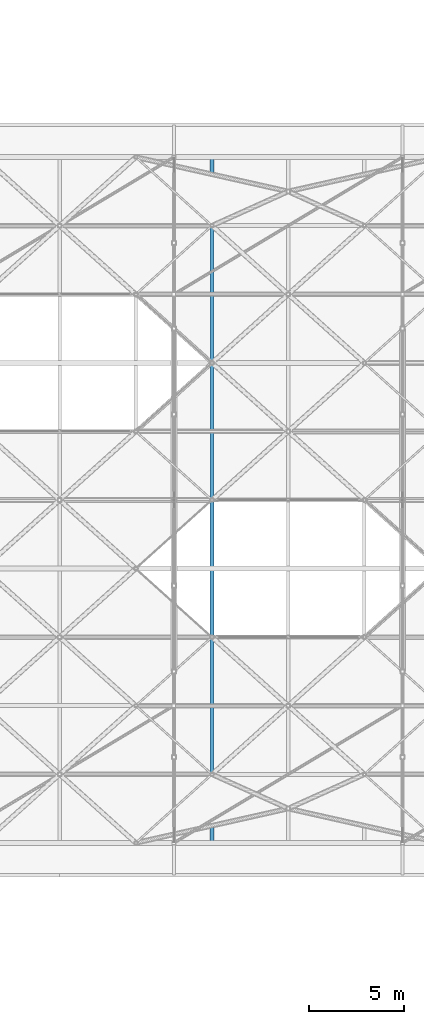
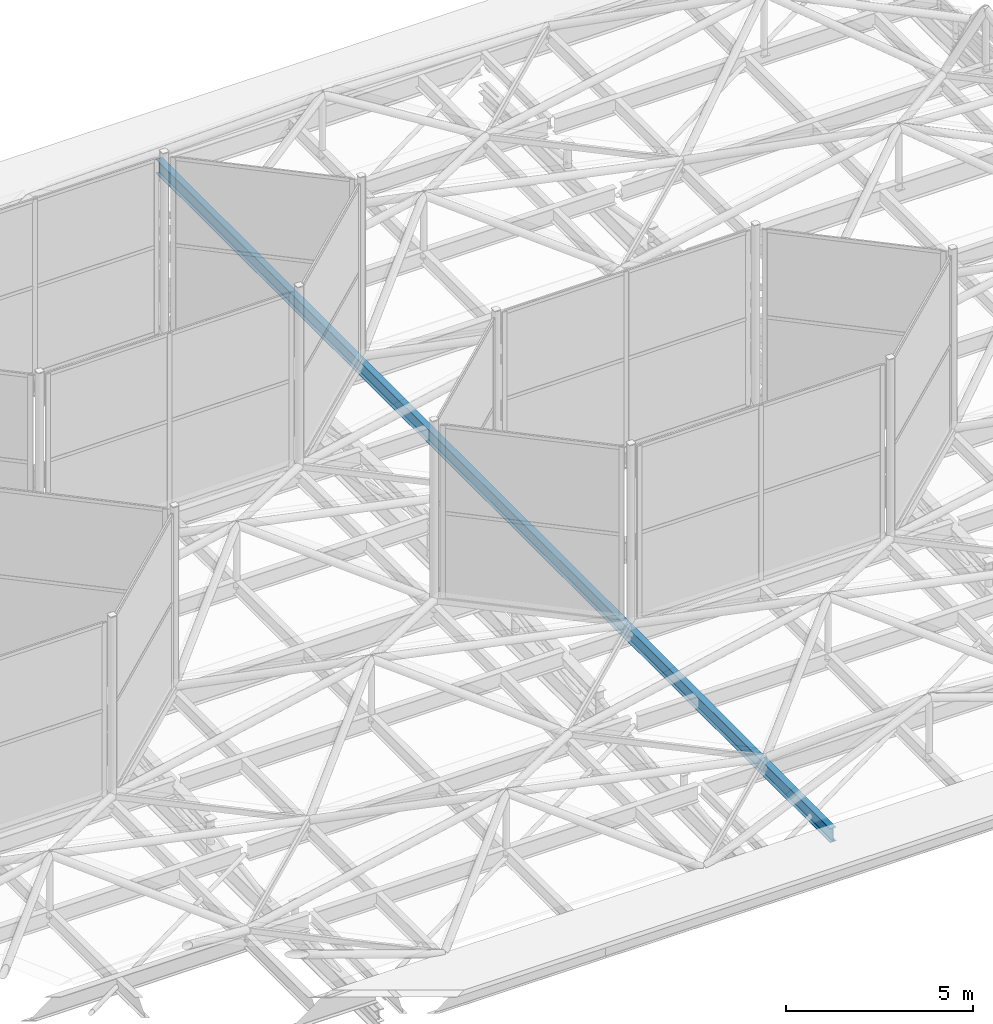
# One storey, part 119 of 239: 1 beam.
"""IFC4 building model written with IfcOpenShell, lengths in metres."""

from ifc_helpers import new_model, si_unit, direction, frame, origin, origin_2d, place, context, subcontext, project, spatial, i_section, extrude, material, material_profile, profile_set, type_object, element, save


model = new_model("IFC4")

# Units and contexts
model_context = context("Model", 3, precision=1e-05, world=origin(), true_north=direction((0.0, 1.0)))
body_context = subcontext(model_context, "Body", "Model", "MODEL_VIEW")
ifc_project = project(units=[si_unit("LENGTHUNIT", "METRE"), si_unit("AREAUNIT", "SQUARE_METRE"), si_unit("VOLUMEUNIT", "CUBIC_METRE"), si_unit("PLANEANGLEUNIT", "RADIAN"), si_unit("MASSUNIT", "GRAM", prefix="KILO")], contexts=[model_context])

# Site, building, storey
site_placement = place(None, origin())
site = spatial("IfcSite", under=ifc_project, at=site_placement, CompositionType="ELEMENT")
building_placement = place(site_placement, origin())
building = spatial("IfcBuilding", under=site, at=building_placement, Name="Dunvalen Ferry Terminal", CompositionType="ELEMENT")
storey_placement = place(building_placement, frame((0.0, 0.0, 9.840087890625)))
storey = spatial("IfcBuildingStorey", under=building, at=storey_placement, Name="L02", CompositionType="ELEMENT", Elevation=9.840087890625)

# Beam
ifc_material = material(Name="Steel S355", Category="steel")
ifc_material_profile = material_profile(ifc_material, i_section(OverallWidth=0.1904296875, OverallDepth=0.45703125, WebThickness=0.009033203125, FlangeThickness=0.014404296875, FilletRadius=0.01025390625, at=origin_2d()), Name="Steel S355")
ifc_profile_set = profile_set([ifc_material_profile], Name="Steel S355")
beam_type = type_object("IfcBeamType", Name="STR-BM-UKB457", PredefinedType="BEAM", material=ifc_profile_set)
beam_placement = place(storey_placement, frame((74.0, 50.39990234375, 0.771484375), z_axis=(0.0, 1.0, 0.0), x_axis=(-1.0, 0.0, 0.0)))
element("IfcBeam", 1, at=beam_placement, inside=storey, type_object=beam_type, Name="Departure Hall Hex-Grid Cross Beam B6.1", PredefinedType="BEAM", context=body_context, shape_type="SweptSolid", body=[
    extrude(i_section(OverallWidth=0.1904296875, OverallDepth=0.45703125, WebThickness=0.009033203125, FlangeThickness=0.014404296875, FilletRadius=0.01025390625, at=origin_2d()), origin(), (0.0, 0.0, 1.0), 36.0),
])

save(model, "model.ifc")
